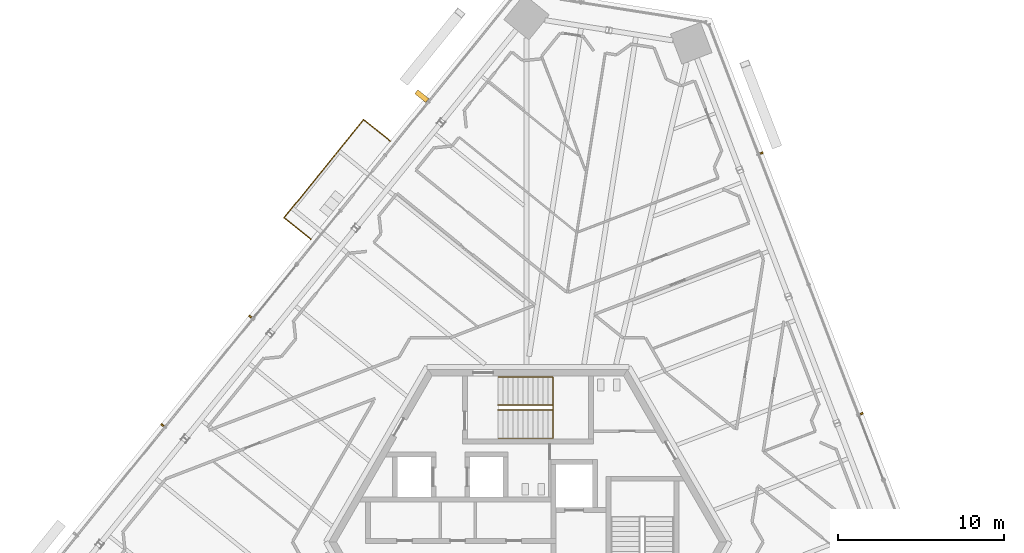
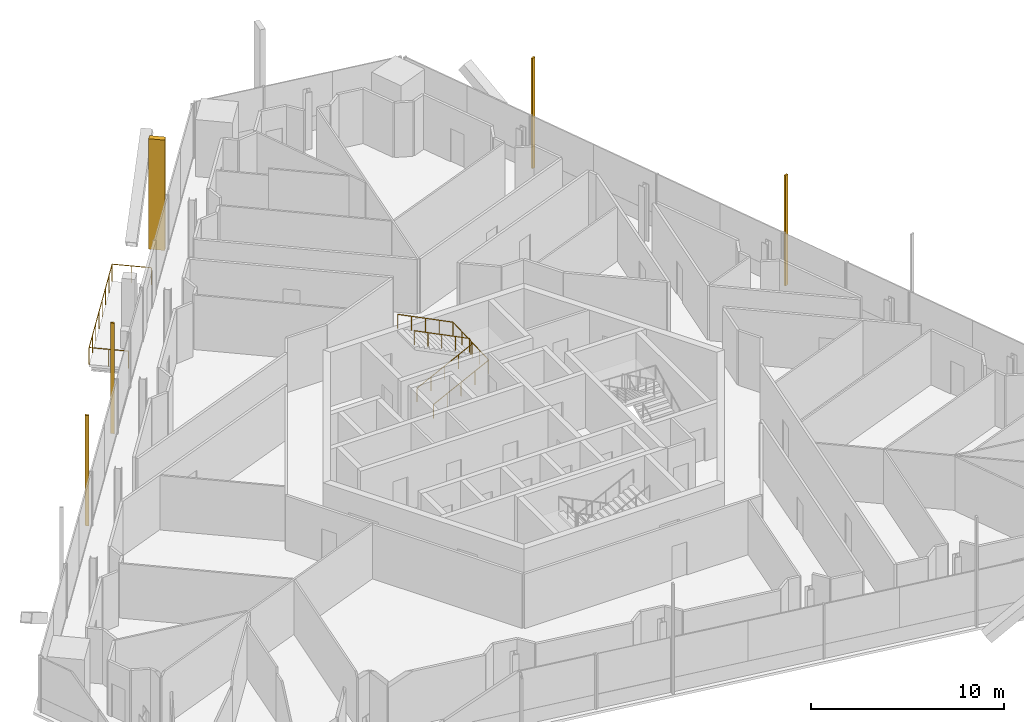
# One storey, part 19 of 23: 5 shading devices, 3 railings.
"""IFC4 building model written with IfcOpenShell, lengths in metres."""

from ifc_helpers import new_model, si_unit, direction, frame, origin, origin_2d, place, context, subcontext, project, spatial, rectangle, circle, extrude, source, transform, mapped, material, type_object, element, save


model = new_model("IFC4")

# Units and contexts
model_context = context("Model", 3, precision=1e-05, world=origin(), true_north=direction((0.0, 1.0)))
body_context = subcontext(model_context, "Body", "Model", "MODEL_VIEW")
ifc_project = project(units=[si_unit("LENGTHUNIT", "METRE"), si_unit("AREAUNIT", "SQUARE_METRE"), si_unit("VOLUMEUNIT", "CUBIC_METRE"), si_unit("PLANEANGLEUNIT", "RADIAN"), si_unit("MASSUNIT", "GRAM", prefix="KILO")], contexts=[model_context])

# Site, building, storey
site_placement = place(None, origin())
site = spatial("IfcSite", under=ifc_project, at=site_placement, CompositionType="ELEMENT")
building_placement = place(site_placement, origin())
building = spatial("IfcBuilding", under=site, at=building_placement, Name="Triune Harvest Tower", CompositionType="ELEMENT")
storey_placement = place(building_placement, frame((0.0, 0.0, 167.699951171875)))
storey = spatial("IfcBuildingStorey", under=building, at=storey_placement, Name="L43", CompositionType="ELEMENT", Elevation=167.699951171875)

# Railings
ifc_material_1 = material(Name="Glass", Category="glass")
railing_type_1 = type_object("IfcRailingType", Name="GD-2 balcony guard 1100", PredefinedType="GUARDRAIL", material=ifc_material_1)
railing_1_placement = place(storey_placement, frame((-8.296630859375, 24.15771484375, 0.0)))
element("IfcRailing", 1, at=railing_1_placement, inside=storey, type_object=railing_type_1, Name="Balcony guard B4-F3 L43.4", PredefinedType="GUARDRAIL", context=body_context, shape_type="SweptSolid", body=[
    extrude(circle(Radius=0.02392578125, at=origin_2d()), frame((0.0, 0.0, 1.076171875), z_axis=(-0.777192463097, 0.629262961968, 0.0), x_axis=(-0.629262961968, -0.777192463097, 0.0)), (0.0, 0.0, 1.0), 2.061279296875),
    extrude(circle(Radius=0.02392578125, at=origin_2d()), frame((-1.60205078125, 1.297119140625, 1.076171875), z_axis=(-0.629325511007, -0.77714181537, 0.0), x_axis=(0.77714181537, -0.629325511007, 0.0)), (0.0, 0.0, 1.0), 7.614013671875),
    extrude(circle(Radius=0.02392578125, at=origin_2d()), frame((-6.393798828125, -4.6201171875, 1.076171875), z_axis=(0.777134540847, -0.629334494066, 0.0), x_axis=(0.629334494066, 0.777134540847, 0.0)), (0.0, 0.0, 1.0), 2.0615234375),
    extrude(circle(Radius=0.02099609375, at=origin_2d()), origin(), (0.0, 0.0, 1.0), 1.052001953125),
    extrude(circle(Radius=0.02099609375, at=origin_2d()), frame((-0.801025390625, 0.6484375, 0.0)), (0.0, 0.0, 1.0), 1.052001953125),
    extrude(circle(Radius=0.02099609375, at=origin_2d()), frame((-1.60205078125, 1.297119140625, 0.0)), (0.0, 0.0, 1.0), 1.052001953125),
    extrude(circle(Radius=0.02099609375, at=origin_2d()), frame((-2.28662109375, 0.451904296875, 0.0)), (0.0, 0.0, 1.0), 1.052001953125),
    extrude(circle(Radius=0.02099609375, at=origin_2d()), frame((-2.97119140625, -0.3935546875, 0.0)), (0.0, 0.0, 1.0), 1.052001953125),
    extrude(circle(Radius=0.02099609375, at=origin_2d()), frame((-3.65576171875, -1.23876953125, 0.0)), (0.0, 0.0, 1.0), 1.052001953125),
    extrude(circle(Radius=0.02099609375, at=origin_2d()), frame((-4.340087890625, -2.084228515625, 0.0)), (0.0, 0.0, 1.0), 1.052001953125),
    extrude(circle(Radius=0.02099609375, at=origin_2d()), frame((-5.024658203125, -2.929443359375, 0.0)), (0.0, 0.0, 1.0), 1.052001953125),
    extrude(circle(Radius=0.02099609375, at=origin_2d()), frame((-5.709228515625, -3.77490234375, 0.0)), (0.0, 0.0, 1.0), 1.052001953125),
    extrude(circle(Radius=0.02099609375, at=origin_2d()), frame((-6.393798828125, -4.6201171875, 0.0)), (0.0, 0.0, 1.0), 1.052001953125),
    extrude(circle(Radius=0.02099609375, at=origin_2d()), frame((-5.5927734375, -5.268798828125, 0.0)), (0.0, 0.0, 1.0), 1.052001953125),
    extrude(circle(Radius=0.02099609375, at=origin_2d()), frame((-4.791748046875, -5.91748046875, 0.0)), (0.0, 0.0, 1.0), 1.052001953125),
])
ifc_material_2 = material(Name="Stainless steel AISI 316", Category="steel")
railing_type_2 = type_object("IfcRailingType", Name="Stair handrail", PredefinedType="HANDRAIL", material=ifc_material_2)
shared_shape_1 = source(origin(), body_context, "Body", "SweptSolid", [
    extrude(circle(Radius=0.02392578125, at=origin_2d()), frame((0.0, 0.0, 0.8759765625), z_axis=(0.894440424912, 0.0, 0.447187126696), x_axis=(0.0, 1.0, 0.0)), (0.0, 0.0, 1.0), 3.689453125),
    extrude(circle(Radius=0.02392578125, at=origin_2d()), frame((3.300048828125, 0.0, 2.52587890625), z_axis=(0.0, 0.999180289278, 0.040481471304), x_axis=(-1.0, 0.0, 0.0)), (0.0, 0.0, 1.0), 3.702880859375),
    extrude(circle(Radius=0.02392578125, at=origin_2d()), frame((3.300048828125, 3.699951171875, 2.67578125), z_axis=(-0.894413956696, 0.0, 0.447240063129), x_axis=(0.0, -1.0, 0.0)), (0.0, 0.0, 1.0), 3.689697265625),
    extrude(circle(Radius=0.02099609375, at=origin_2d()), origin(), (0.0, 0.0, 1.0), 0.851806640625),
    extrude(circle(Radius=0.02099609375, at=origin_2d()), frame((0.824951171875, 0.0, 0.41259765625)), (0.0, 0.0, 1.0), 0.851806640625),
    extrude(circle(Radius=0.02099609375, at=origin_2d()), frame((1.64990234375, 0.0, 0.824951171875)), (0.0, 0.0, 1.0), 0.851806640625),
    extrude(circle(Radius=0.02099609375, at=origin_2d()), frame((2.47509765625, 0.0, 1.2373046875)), (0.0, 0.0, 1.0), 0.851806640625),
    extrude(circle(Radius=0.02099609375, at=origin_2d()), frame((3.300048828125, 0.0, 1.64990234375)), (0.0, 0.0, 1.0), 0.851806640625),
    extrude(circle(Radius=0.02099609375, at=origin_2d()), frame((3.300048828125, 0.925048828125, 1.6875)), (0.0, 0.0, 1.0), 0.851806640625),
    extrude(circle(Radius=0.02099609375, at=origin_2d()), frame((3.300048828125, 1.85009765625, 1.724853515625)), (0.0, 0.0, 1.0), 0.851806640625),
    extrude(circle(Radius=0.02099609375, at=origin_2d()), frame((3.300048828125, 2.77490234375, 1.76220703125)), (0.0, 0.0, 1.0), 0.851806640625),
    extrude(circle(Radius=0.02099609375, at=origin_2d()), frame((3.300048828125, 3.699951171875, 1.7998046875)), (0.0, 0.0, 1.0), 0.851806640625),
    extrude(circle(Radius=0.02099609375, at=origin_2d()), frame((2.47509765625, 3.699951171875, 2.21240234375)), (0.0, 0.0, 1.0), 0.851806640625),
    extrude(circle(Radius=0.02099609375, at=origin_2d()), frame((1.64990234375, 3.699951171875, 2.625)), (0.0, 0.0, 1.0), 0.851806640625),
    extrude(circle(Radius=0.02099609375, at=origin_2d()), frame((0.824951171875, 3.699951171875, 3.037353515625)), (0.0, 0.0, 1.0), 0.851806640625),
    extrude(circle(Radius=0.02099609375, at=origin_2d()), frame((0.0, 3.699951171875, 3.449951171875)), (0.0, 0.0, 1.0), 0.851806640625),
])
railing_2_placement = place(storey_placement, frame((-1.7900390625, 6.239990234375, 0.150146484375)))
element("IfcRailing", 2, at=railing_2_placement, inside=storey, type_object=railing_type_2, Name="Exit stair north wall handrail", PredefinedType="HANDRAIL", context=body_context, shape_type="MappedRepresentation", body=[
    mapped(shared_shape_1, transform((0.0, 0.0, 0.0), scale=1.0)),
])
shared_shape_2 = source(origin(), body_context, "Body", "SweptSolid", [
    extrude(circle(Radius=0.02392578125, at=origin_2d()), frame((0.0, 0.0, 0.8759765625), z_axis=(0.894440424912, 0.0, 0.447187126696), x_axis=(0.0, 1.0, 0.0)), (0.0, 0.0, 1.0), 3.689453125),
    extrude(circle(Radius=0.02392578125, at=origin_2d()), frame((3.300048828125, 0.0, 2.52587890625), z_axis=(0.0, 0.894572720946, 0.446922417137), x_axis=(-1.0, 0.0, 0.0)), (0.0, 0.0, 1.0), 0.33544921875),
    extrude(circle(Radius=0.02392578125, at=origin_2d()), frame((3.300048828125, 0.300048828125, 2.67578125), z_axis=(-0.894413956696, 0.0, 0.447240063129), x_axis=(0.0, -1.0, 0.0)), (0.0, 0.0, 1.0), 3.689697265625),
    extrude(circle(Radius=0.02099609375, at=origin_2d()), origin(), (0.0, 0.0, 1.0), 0.851806640625),
    extrude(circle(Radius=0.02099609375, at=origin_2d()), frame((0.824951171875, 0.0, 0.41259765625)), (0.0, 0.0, 1.0), 0.851806640625),
    extrude(circle(Radius=0.02099609375, at=origin_2d()), frame((1.64990234375, 0.0, 0.824951171875)), (0.0, 0.0, 1.0), 0.851806640625),
    extrude(circle(Radius=0.02099609375, at=origin_2d()), frame((2.47509765625, 0.0, 1.2373046875)), (0.0, 0.0, 1.0), 0.851806640625),
    extrude(circle(Radius=0.02099609375, at=origin_2d()), frame((3.300048828125, 0.0, 1.64990234375)), (0.0, 0.0, 1.0), 0.851806640625),
    extrude(circle(Radius=0.02099609375, at=origin_2d()), frame((3.300048828125, 0.300048828125, 1.7998046875)), (0.0, 0.0, 1.0), 0.851806640625),
    extrude(circle(Radius=0.02099609375, at=origin_2d()), frame((2.47509765625, 0.300048828125, 2.21240234375)), (0.0, 0.0, 1.0), 0.851806640625),
    extrude(circle(Radius=0.02099609375, at=origin_2d()), frame((1.64990234375, 0.300048828125, 2.625)), (0.0, 0.0, 1.0), 0.851806640625),
    extrude(circle(Radius=0.02099609375, at=origin_2d()), frame((0.824951171875, 0.300048828125, 3.037353515625)), (0.0, 0.0, 1.0), 0.851806640625),
    extrude(circle(Radius=0.02099609375, at=origin_2d()), frame((0.0, 0.300048828125, 3.449951171875)), (0.0, 0.0, 1.0), 0.851806640625),
])
railing_3_placement = place(storey_placement, frame((-1.7900390625, 7.93994140625, 0.150146484375)))
element("IfcRailing", 3, at=railing_3_placement, inside=storey, type_object=railing_type_2, Name="Exit stair north centre handrail", PredefinedType="HANDRAIL", context=body_context, shape_type="MappedRepresentation", body=[
    mapped(shared_shape_2, transform((0.0, 0.0, 0.0), scale=1.0)),
])

# Shading devices
ifc_material_3 = material(Name="Aluminium bronze anodised", Category="aluminium")
shared_shape_3 = source(origin(), body_context, "Body", "SweptSolid", [
    extrude(rectangle(XDim=0.300048828125, YDim=0.85009765625, at=origin_2d()), origin(), (0.0, 0.0, 1.0), 6.97509765625),
])
shading_device_placement = place(storey_placement, frame((-6.393798828125, 26.865234375, 0.0), z_axis=(0.0, 0.0, 1.0), x_axis=(-0.629321459087, -0.777145096577, 0.0)))
element("IfcShadingDevice", 4, at=shading_device_placement, inside=storey, material=ifc_material_3, Name="FN-2 fin B4-F3.3 L43", ObjectType="FIN", PredefinedType="USERDEFINED", context=body_context, shape_type="MappedRepresentation", body=[
    mapped(shared_shape_3, transform((0.0, 0.0, 0.0), scale=1.0)),
])
shared_shape_4 = source(origin(), body_context, "Body", "SweptSolid", [
    extrude(rectangle(XDim=0.10009765625, YDim=0.199951171875, at=origin_2d()), origin(), (0.0, 0.0, 1.0), 6.97509765625),
])
for number, where, z_axis, x_axis, name in (
    (5, (20.119384765625, 7.72314453125, 0.0), (0.0, 0.0, 1.0), (-0.35836927228, 0.933579918746, 0.0), "FN-1 fin B4-F1.7 L43"),
    (6, (14.08984375, 23.43017578125, 0.0), (0.0, 0.0, 1.0), (-0.35836927228, 0.933579918746, 0.0), "FN-1 fin B4-F1.11 L43"),
    (7, (-16.73388671875, 13.579833984375, 0.0), (0.0, 0.0, 1.0), (-0.629321459087, -0.777145096577, 0.0), "FN-1 fin B4-F3.7 L43"),
    (8, (-22.03271484375, 7.036376953125, 0.0), (0.0, 0.0, 1.0), (-0.629321459087, -0.777145096577, 0.0), "FN-1 fin B4-F3.9 L43"),
):
    element("IfcShadingDevice", number, at=place(storey_placement, frame(where, z_axis=z_axis, x_axis=x_axis)), inside=storey, material=ifc_material_3, Name=name, ObjectType="FIN", PredefinedType="USERDEFINED", context=body_context, shape_type="MappedRepresentation", body=[
        mapped(shared_shape_4, transform((0.0, 0.0, 0.0), scale=1.0)),
    ])

save(model, "model.ifc")
